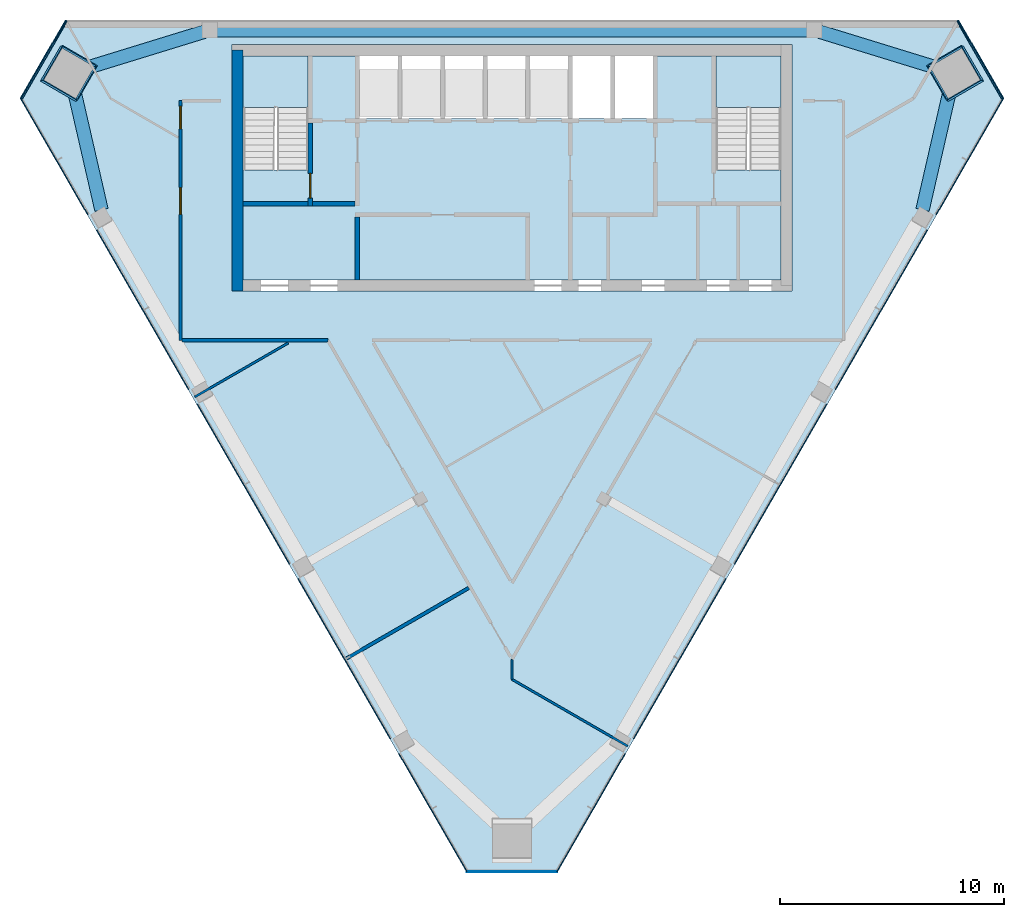
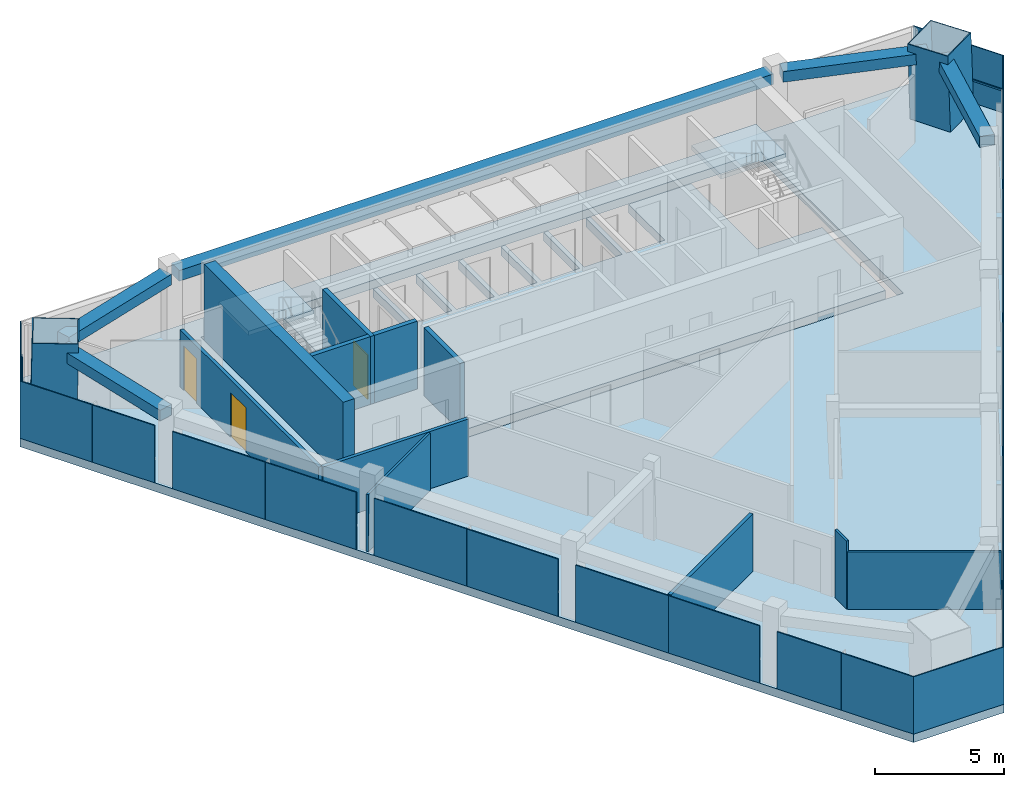
# One storey, part 5 of 9: 23 plates, 11 walls, 5 beams, 4 members, 4 slabs, 3 doors, 3 openings, 7 elements without a shape of their own.
"""IFC4 building model written with IfcOpenShell, lengths in metres."""

from ifc_helpers import new_model, si_unit, direction, frame, frame_2d, origin, origin_2d, place, context, subcontext, project, spatial, polyline, rectangle, hollow_rectangle, outline, extrude, material, layer, layer_set, material_profile, profile_set, type_object, element, fill, aggregate, save


model = new_model("IFC4")

# Units and contexts
model_context = context("Model", 3, precision=1e-05, world=origin(), true_north=direction((0.0, 1.0)))
body_context = subcontext(model_context, "Body", "Model", "MODEL_VIEW")
ifc_project = project(units=[si_unit("LENGTHUNIT", "METRE"), si_unit("AREAUNIT", "SQUARE_METRE"), si_unit("VOLUMEUNIT", "CUBIC_METRE"), si_unit("PLANEANGLEUNIT", "RADIAN"), si_unit("MASSUNIT", "GRAM", prefix="KILO")], contexts=[model_context])

# Site, building, storey
site_placement = place(None, origin())
site = spatial("IfcSite", under=ifc_project, at=site_placement, CompositionType="ELEMENT")
building_placement = place(site_placement, origin())
building = spatial("IfcBuilding", under=site, at=building_placement, Name="Altiplano Prism Tower", CompositionType="ELEMENT")
storey_placement = place(building_placement, frame((0.0, 0.0, 305.800048828125)))
storey = spatial("IfcBuildingStorey", under=building, at=storey_placement, Name="L79", CompositionType="ELEMENT", Elevation=305.800048828125)

# Curtain wall, member
ifc_material_1 = material(Name="Aluminium and glass", Category="aluminium")
ifc_layer_1 = layer(ifc_material_1, 0.303955078125)
ifc_layer_set_1 = layer_set([ifc_layer_1], Name="Aluminium and glass")
curtain_wall_type = type_object("IfcCurtainWallType", Name="CW2 lounge-band unitised glazing", PredefinedType="NOTDEFINED", material=ifc_layer_set_1)
curtain_wall_1_placement = place(storey_placement, origin())
curtain_wall_1 = element("IfcCurtainWall", 1, at=curtain_wall_1_placement, inside=storey, type_object=curtain_wall_type, Name="CW2 curtain wall north-west chamfer L79", PredefinedType="NOTDEFINED")
ifc_material_2 = material(Name="Aluminium", Category="aluminium")
ifc_material_profile_1 = material_profile(ifc_material_2, rectangle(XDim=0.06005859375, YDim=0.080078125, at=origin_2d()), Name="CW2 transom 80 x 60")
ifc_profile_set_1 = profile_set([ifc_material_profile_1], Name="Aluminium")
member_type_1 = type_object("IfcMemberType", Name="CW2 transom 80 x 60", PredefinedType="USERDEFINED", material=ifc_profile_set_1)
member_1_placement = place(storey_placement, frame((65.11962890625, 104.962890625, 1.099853515625), z_axis=(-0.500013722509, -0.866017480945, 0.0), x_axis=(0.866017480945, -0.500013722509, 0.0)))
member_1 = element("IfcMember", 2, at=member_1_placement, type_object=member_type_1, Name="CW2 transom", ObjectType="TRANSOM", PredefinedType="USERDEFINED", context=body_context, shape_type="SweptSolid", body=[
    extrude(rectangle(XDim=0.06005859375, YDim=0.080078125, at=origin_2d()), origin(), (0.0, 0.0, 1.0), 4.0390625),
])

curtain_wall_2_placement = place(storey_placement, origin())
curtain_wall_2 = element("IfcCurtainWall", 3, at=curtain_wall_2_placement, inside=storey, type_object=curtain_wall_type, Name="CW2 curtain wall north-east chamfer L79", PredefinedType="NOTDEFINED")
member_2_placement = place(storey_placement, frame((106.89990234375, 101.465087890625, 1.099853515625), z_axis=(-0.500013722509, 0.866017480945, 0.0), x_axis=(-0.866017480945, -0.500013722509, 0.0)))
member_2 = element("IfcMember", 4, at=member_2_placement, type_object=member_type_1, Name="CW2 transom", ObjectType="TRANSOM", PredefinedType="USERDEFINED", context=body_context, shape_type="SweptSolid", body=[
    extrude(rectangle(XDim=0.06005859375, YDim=0.080078125, at=origin_2d()), origin(), (0.0, 0.0, 1.0), 4.0390625),
])

# Beams
ifc_material_3 = material(Name="Concrete C60/75", Category="concrete")
ifc_material_profile_2 = material_profile(ifc_material_3, rectangle(XDim=0.60009765625, YDim=0.5, at=origin_2d()), Name="Edge beam 600x500")
ifc_profile_set_2 = profile_set([ifc_material_profile_2], Name="Concrete C60/75")
beam_type = type_object("IfcBeamType", Name="Edge beam 600x500", PredefinedType="SPANDREL", material=ifc_profile_set_2)
for number, where, z_axis, x_axis, name in (
    (5, (103.3271484375, 96.5244140625, 2.949951171875), (0.223195084926, 0.974773796357, 0.0), (-0.974773796357, 0.223195084926, 0.0), "Edge beam P24-M2 L80"),
    (6, (104.296142578125, 102.7666015625, 2.949951171875), (-0.955782637849, 0.294074053916, 0.0), (-0.294074053916, -0.955782637849, 0.0), "Edge beam M2-P01 L80"),
):
    element("IfcBeam", number, at=place(storey_placement, frame(where, z_axis=z_axis, x_axis=x_axis)), inside=storey, type_object=beam_type, Name=name, PredefinedType="SPANDREL", context=body_context, shape_type="SweptSolid", body=[
        extrude(rectangle(XDim=0.60009765625, YDim=0.5, at=origin_2d()), origin(), (0.0, 0.0, 1.0), 5.818115234375),
    ])
beam_placement = place(storey_placement, frame((98.27001953125, 104.550048828125, 2.949951171875), z_axis=(-1.0, 0.0, 0.0), x_axis=(0.0, -1.0, 0.0)))
element("IfcBeam", 7, at=beam_placement, inside=storey, type_object=beam_type, Name="Edge beam P01-P04 L80", PredefinedType="SPANDREL", context=body_context, shape_type="SweptSolid", body=[
    extrude(rectangle(XDim=0.60009765625, YDim=0.5, at=origin_2d()), origin(), (0.0, 0.0, 1.0), 26.5400390625),
])
for number, where, z_axis, x_axis, name in (
    (8, (71.2646484375, 104.4775390625, 2.949951171875), (-0.955782637849, -0.294074053916, 0.0), (0.294074053916, -0.955782637849, 0.0), "Edge beam P04-M0 L80"),
    (9, (65.374267578125, 102.19580078125, 2.949951171875), (0.223195084926, -0.974773796357, 0.0), (0.974773796357, 0.223195084926, 0.0), "Edge beam M0-P11 L80"),
):
    element("IfcBeam", number, at=place(storey_placement, frame(where, z_axis=z_axis, x_axis=x_axis)), inside=storey, type_object=beam_type, Name=name, PredefinedType="SPANDREL", context=body_context, shape_type="SweptSolid", body=[
        extrude(rectangle(XDim=0.60009765625, YDim=0.5, at=origin_2d()), origin(), (0.0, 0.0, 1.0), 5.818115234375),
    ])

# Members
ifc_material_4 = material(Name="Steel S460", Category="steel")
ifc_material_profile_3 = material_profile(ifc_material_4, hollow_rectangle(XDim=1.800048828125, YDim=1.800048828125, WallThickness=0.0400390625, at=origin_2d()), Name="Mega column tube 1800")
ifc_profile_set_3 = profile_set([ifc_material_profile_3], Name="Steel S460")
member_type_2 = type_object("IfcMemberType", Name="Mega column tube 1800", PredefinedType="POST", material=ifc_profile_set_3)
for number, where, z_axis, x_axis, name in (
    (10, (65.171630859375, 102.60107421875, 0.0), (0.028403739082, 0.009219352065, 0.999554016126), (-0.865122977787, 0.501162431083, 0.01996123683), "Mega column tube M0 L79"),
    (11, (104.828369140625, 102.60107421875, 0.0), (-0.028403739082, 0.009219352065, 0.999554016126), (0.500754891051, -0.865304120652, 0.022210760241), "Mega column tube M2 L79"),
):
    element("IfcMember", number, at=place(storey_placement, frame(where, z_axis=z_axis, x_axis=x_axis)), inside=storey, type_object=member_type_2, Name=name, PredefinedType="POST", context=body_context, shape_type="SweptSolid", body=[
        extrude(hollow_rectangle(XDim=1.800048828125, YDim=1.800048828125, WallThickness=0.0400390625, at=origin_2d()), origin(), (0.0, 0.0, 1.0), 3.6015625),
    ])

# Plate
ifc_material_5 = material(Name="Clear glass", Category="glass")
ifc_layer_2 = layer(ifc_material_5, 0.0439453125)
ifc_layer_set_2 = layer_set([ifc_layer_2], Name="Clear glass")
plate_type = type_object("IfcPlateType", Name="CW2 insulated glass unit 44", PredefinedType="CURTAIN_PANEL", material=ifc_layer_set_2)
plate_1_placement = place(storey_placement, frame((64.064697265625, 103.239990234375, 0.0), z_axis=(0.0, 0.0, 1.0), x_axis=(-0.499999972597, -0.866025419606, 0.0)))
plate_1 = element("IfcPlate", 12, at=plate_1_placement, type_object=plate_type, Name="CW2 panel", PredefinedType="CURTAIN_PANEL", context=body_context, shape_type="SweptSolid", body=[
    extrude(rectangle(XDim=4.029052734375, YDim=0.0439453125, at=origin_2d()), origin(), (0.0, 0.0, 1.0), 2.699951171875),
])

aggregate(curtain_wall_1, [member_1, plate_1])

# Curtain wall, plates
curtain_wall_3_placement = place(storey_placement, origin())
curtain_wall_3 = element("IfcCurtainWall", 13, at=curtain_wall_3_placement, inside=storey, type_object=curtain_wall_type, Name="CW2 curtain wall south-west face L79", PredefinedType="NOTDEFINED")
plate_2_placement = place(storey_placement, frame((63.860595703125, 100.11767578125, 0.0), z_axis=(0.0, 0.0, 1.0), x_axis=(0.500000007709, -0.866025399334, 0.0)))
plate_2 = element("IfcPlate", 14, at=plate_2_placement, type_object=plate_type, Name="CW2 panel", PredefinedType="CURTAIN_PANEL", context=body_context, shape_type="SweptSolid", body=[
    extrude(rectangle(XDim=3.212158203125, YDim=0.0439453125, at=origin_2d()), origin(), (0.0, 0.0, 1.0), 2.699951171875),
])
plate_3_placement = place(storey_placement, frame((65.3642578125, 97.51318359375, 0.0), z_axis=(0.0, 0.0, 1.0), x_axis=(0.500000007709, -0.866025399334, 0.0)))
plate_3 = element("IfcPlate", 15, at=plate_3_placement, type_object=plate_type, Name="CW2 panel", PredefinedType="CURTAIN_PANEL", context=body_context, shape_type="SweptSolid", body=[
    extrude(rectangle(XDim=2.78271484375, YDim=0.0439453125, at=origin_2d()), origin(), (0.0, 0.0, 1.0), 2.699951171875),
])
plate_4_placement = place(storey_placement, frame((67.489990234375, 93.83154296875, 0.0), z_axis=(0.0, 0.0, 1.0), x_axis=(0.500000007709, -0.866025399334, 0.0)))
plate_4 = element("IfcPlate", 16, at=plate_4_placement, type_object=plate_type, Name="CW2 panel", PredefinedType="CURTAIN_PANEL", context=body_context, shape_type="SweptSolid", body=[
    extrude(rectangle(XDim=4.139404296875, YDim=0.0439453125, at=origin_2d()), origin(), (0.0, 0.0, 1.0), 2.699951171875),
])
plate_5_placement = place(storey_placement, frame((69.544921875, 90.272216796875, 0.0), z_axis=(0.0, 0.0, 1.0), x_axis=(0.500000007709, -0.866025399334, 0.0)))
plate_5 = element("IfcPlate", 17, at=plate_5_placement, type_object=plate_type, Name="CW2 panel", PredefinedType="CURTAIN_PANEL", context=body_context, shape_type="SweptSolid", body=[
    extrude(rectangle(XDim=4.060302734375, YDim=0.0439453125, at=origin_2d()), origin(), (0.0, 0.0, 1.0), 2.699951171875),
])
plate_6_placement = place(storey_placement, frame((71.989990234375, 86.037353515625, 0.0), z_axis=(0.0, 0.0, 1.0), x_axis=(0.500000007709, -0.866025399334, 0.0)))
plate_6 = element("IfcPlate", 18, at=plate_6_placement, type_object=plate_type, Name="CW2 panel", PredefinedType="CURTAIN_PANEL", context=body_context, shape_type="SweptSolid", body=[
    extrude(rectangle(XDim=4.139404296875, YDim=0.0439453125, at=origin_2d()), origin(), (0.0, 0.0, 1.0), 2.699951171875),
])
plate_7_placement = place(storey_placement, frame((74.044921875, 82.47802734375, 0.0), z_axis=(0.0, 0.0, 1.0), x_axis=(0.500000007709, -0.866025399334, 0.0)))
plate_7 = element("IfcPlate", 19, at=plate_7_placement, type_object=plate_type, Name="CW2 panel", PredefinedType="CURTAIN_PANEL", context=body_context, shape_type="SweptSolid", body=[
    extrude(rectangle(XDim=4.060302734375, YDim=0.0439453125, at=origin_2d()), origin(), (0.0, 0.0, 1.0), 2.699951171875),
])
plate_8_placement = place(storey_placement, frame((76.489990234375, 78.2431640625, 0.0), z_axis=(0.0, 0.0, 1.0), x_axis=(0.500000007709, -0.866025399334, 0.0)))
plate_8 = element("IfcPlate", 20, at=plate_8_placement, type_object=plate_type, Name="CW2 panel", PredefinedType="CURTAIN_PANEL", context=body_context, shape_type="SweptSolid", body=[
    extrude(rectangle(XDim=4.139404296875, YDim=0.0439453125, at=origin_2d()), origin(), (0.0, 0.0, 1.0), 2.699951171875),
])
plate_9_placement = place(storey_placement, frame((78.544921875, 74.683837890625, 0.0), z_axis=(0.0, 0.0, 1.0), x_axis=(0.500000007709, -0.866025399334, 0.0)))
plate_9 = element("IfcPlate", 21, at=plate_9_placement, type_object=plate_type, Name="CW2 panel", PredefinedType="CURTAIN_PANEL", context=body_context, shape_type="SweptSolid", body=[
    extrude(rectangle(XDim=4.060302734375, YDim=0.0439453125, at=origin_2d()), origin(), (0.0, 0.0, 1.0), 2.699951171875),
])
plate_10_placement = place(storey_placement, frame((80.67041015625, 71.002197265625, 0.0), z_axis=(0.0, 0.0, 1.0), x_axis=(0.500000007709, -0.866025399334, 0.0)))
plate_10 = element("IfcPlate", 22, at=plate_10_placement, type_object=plate_type, Name="CW2 panel", PredefinedType="CURTAIN_PANEL", context=body_context, shape_type="SweptSolid", body=[
    extrude(rectangle(XDim=2.86181640625, YDim=0.0439453125, at=origin_2d()), origin(), (0.0, 0.0, 1.0), 2.699951171875),
])
plate_11_placement = place(storey_placement, frame((82.19384765625, 68.363525390625, 0.0), z_axis=(0.0, 0.0, 1.0), x_axis=(0.500000007709, -0.866025399334, 0.0)))
plate_11 = element("IfcPlate", 23, at=plate_11_placement, type_object=plate_type, Name="CW2 panel", PredefinedType="CURTAIN_PANEL", context=body_context, shape_type="SweptSolid", body=[
    extrude(rectangle(XDim=3.212158203125, YDim=0.0439453125, at=origin_2d()), origin(), (0.0, 0.0, 1.0), 2.699951171875),
])
aggregate(curtain_wall_3, [plate_2, plate_3, plate_4, plate_5, plate_6, plate_7, plate_8, plate_9, plate_10, plate_11])

# Curtain wall, plate
curtain_wall_4_placement = place(storey_placement, origin())
curtain_wall_4 = element("IfcCurtainWall", 24, at=curtain_wall_4_placement, inside=storey, type_object=curtain_wall_type, Name="CW2 curtain wall south chamfer L79", PredefinedType="NOTDEFINED")
plate_12_placement = place(storey_placement, frame((85.0, 66.979248046875, 0.0), z_axis=(0.0, 0.0, 1.0), x_axis=(1.0, 0.0, 0.0)))
plate_12 = element("IfcPlate", 25, at=plate_12_placement, type_object=plate_type, Name="CW2 panel", PredefinedType="CURTAIN_PANEL", context=body_context, shape_type="SweptSolid", body=[
    extrude(rectangle(XDim=4.029052734375, YDim=0.0439453125, at=origin_2d()), origin(), (0.0, 0.0, 1.0), 2.699951171875),
])
aggregate(curtain_wall_4, [plate_12])

# Curtain wall, plates
curtain_wall_5_placement = place(storey_placement, origin())
curtain_wall_5 = element("IfcCurtainWall", 26, at=curtain_wall_5_placement, inside=storey, type_object=curtain_wall_type, Name="CW2 curtain wall south-east face L79", PredefinedType="NOTDEFINED")
plate_13_placement = place(storey_placement, frame((87.80615234375, 68.363525390625, 0.0), z_axis=(0.0, 0.0, 1.0), x_axis=(0.500000007709, 0.866025399334, 0.0)))
plate_13 = element("IfcPlate", 27, at=plate_13_placement, type_object=plate_type, Name="CW2 panel", PredefinedType="CURTAIN_PANEL", context=body_context, shape_type="SweptSolid", body=[
    extrude(rectangle(XDim=3.212158203125, YDim=0.0439453125, at=origin_2d()), origin(), (0.0, 0.0, 1.0), 2.699951171875),
])
plate_14_placement = place(storey_placement, frame((89.32958984375, 71.002197265625, 0.0), z_axis=(0.0, 0.0, 1.0), x_axis=(0.500000007709, 0.866025399334, 0.0)))
plate_14 = element("IfcPlate", 28, at=plate_14_placement, type_object=plate_type, Name="CW2 panel", PredefinedType="CURTAIN_PANEL", context=body_context, shape_type="SweptSolid", body=[
    extrude(rectangle(XDim=2.86181640625, YDim=0.0439453125, at=origin_2d()), origin(), (0.0, 0.0, 1.0), 2.699951171875),
])
plate_15_placement = place(storey_placement, frame((91.455078125, 74.683837890625, 0.0), z_axis=(0.0, 0.0, 1.0), x_axis=(0.500000007709, 0.866025399334, 0.0)))
plate_15 = element("IfcPlate", 29, at=plate_15_placement, type_object=plate_type, Name="CW2 panel", PredefinedType="CURTAIN_PANEL", context=body_context, shape_type="SweptSolid", body=[
    extrude(rectangle(XDim=4.060302734375, YDim=0.0439453125, at=origin_2d()), origin(), (0.0, 0.0, 1.0), 2.699951171875),
])
plate_16_placement = place(storey_placement, frame((93.510009765625, 78.2431640625, 0.0), z_axis=(0.0, 0.0, 1.0), x_axis=(0.500000007709, 0.866025399334, 0.0)))
plate_16 = element("IfcPlate", 30, at=plate_16_placement, type_object=plate_type, Name="CW2 panel", PredefinedType="CURTAIN_PANEL", context=body_context, shape_type="SweptSolid", body=[
    extrude(rectangle(XDim=4.139404296875, YDim=0.0439453125, at=origin_2d()), origin(), (0.0, 0.0, 1.0), 2.699951171875),
])
plate_17_placement = place(storey_placement, frame((95.955078125, 82.47802734375, 0.0), z_axis=(0.0, 0.0, 1.0), x_axis=(0.500000007709, 0.866025399334, 0.0)))
plate_17 = element("IfcPlate", 31, at=plate_17_placement, type_object=plate_type, Name="CW2 panel", PredefinedType="CURTAIN_PANEL", context=body_context, shape_type="SweptSolid", body=[
    extrude(rectangle(XDim=4.060302734375, YDim=0.0439453125, at=origin_2d()), origin(), (0.0, 0.0, 1.0), 2.699951171875),
])
plate_18_placement = place(storey_placement, frame((98.010009765625, 86.037353515625, 0.0), z_axis=(0.0, 0.0, 1.0), x_axis=(0.500000007709, 0.866025399334, 0.0)))
plate_18 = element("IfcPlate", 32, at=plate_18_placement, type_object=plate_type, Name="CW2 panel", PredefinedType="CURTAIN_PANEL", context=body_context, shape_type="SweptSolid", body=[
    extrude(rectangle(XDim=4.139404296875, YDim=0.0439453125, at=origin_2d()), origin(), (0.0, 0.0, 1.0), 2.699951171875),
])
plate_19_placement = place(storey_placement, frame((100.455078125, 90.272216796875, 0.0), z_axis=(0.0, 0.0, 1.0), x_axis=(0.500000007709, 0.866025399334, 0.0)))
plate_19 = element("IfcPlate", 33, at=plate_19_placement, type_object=plate_type, Name="CW2 panel", PredefinedType="CURTAIN_PANEL", context=body_context, shape_type="SweptSolid", body=[
    extrude(rectangle(XDim=4.060302734375, YDim=0.0439453125, at=origin_2d()), origin(), (0.0, 0.0, 1.0), 2.699951171875),
])
plate_20_placement = place(storey_placement, frame((102.510009765625, 93.83154296875, 0.0), z_axis=(0.0, 0.0, 1.0), x_axis=(0.500000007709, 0.866025399334, 0.0)))
plate_20 = element("IfcPlate", 34, at=plate_20_placement, type_object=plate_type, Name="CW2 panel", PredefinedType="CURTAIN_PANEL", context=body_context, shape_type="SweptSolid", body=[
    extrude(rectangle(XDim=4.139404296875, YDim=0.0439453125, at=origin_2d()), origin(), (0.0, 0.0, 1.0), 2.699951171875),
])
plate_21_placement = place(storey_placement, frame((104.6357421875, 97.51318359375, 0.0), z_axis=(0.0, 0.0, 1.0), x_axis=(0.500000007709, 0.866025399334, 0.0)))
plate_21 = element("IfcPlate", 35, at=plate_21_placement, type_object=plate_type, Name="CW2 panel", PredefinedType="CURTAIN_PANEL", context=body_context, shape_type="SweptSolid", body=[
    extrude(rectangle(XDim=2.78271484375, YDim=0.0439453125, at=origin_2d()), origin(), (0.0, 0.0, 1.0), 2.699951171875),
])
plate_22_placement = place(storey_placement, frame((106.139404296875, 100.11767578125, 0.0), z_axis=(0.0, 0.0, 1.0), x_axis=(0.500000007709, 0.866025399334, 0.0)))
plate_22 = element("IfcPlate", 36, at=plate_22_placement, type_object=plate_type, Name="CW2 panel", PredefinedType="CURTAIN_PANEL", context=body_context, shape_type="SweptSolid", body=[
    extrude(rectangle(XDim=3.212158203125, YDim=0.0439453125, at=origin_2d()), origin(), (0.0, 0.0, 1.0), 2.699951171875),
])
aggregate(curtain_wall_5, [plate_13, plate_14, plate_15, plate_16, plate_17, plate_18, plate_19, plate_20, plate_21, plate_22])

# Plate
plate_23_placement = place(storey_placement, frame((105.935302734375, 103.239990234375, 0.0), z_axis=(0.0, 0.0, 1.0), x_axis=(-0.499999972597, 0.866025419606, 0.0)))
plate_23 = element("IfcPlate", 37, at=plate_23_placement, type_object=plate_type, Name="CW2 panel", PredefinedType="CURTAIN_PANEL", context=body_context, shape_type="SweptSolid", body=[
    extrude(rectangle(XDim=4.029052734375, YDim=0.0439453125, at=origin_2d()), origin(), (0.0, 0.0, 1.0), 2.699951171875),
])

aggregate(curtain_wall_2, [member_2, plate_23])

# Slabs
ifc_material_6 = material(Name="Concrete C40/50", Category="concrete")
ifc_layer_3 = layer(ifc_material_6, 0.39990234375)
ifc_layer_set_3 = layer_set([ifc_layer_3], Name="Concrete C40/50")
slab_type_1 = type_object("IfcSlabType", Name="Core floor slab 400", PredefinedType="FLOOR", material=ifc_layer_set_3)
slab_1_placement = place(storey_placement, frame((0.0, 0.0, -0.400146484375)))
element("IfcSlab", 38, at=slab_1_placement, inside=storey, type_object=slab_type_1, Name="Core floor slab L79", PredefinedType="FLOOR", context=body_context, shape_type="SweptSolid", body=[
    extrude(outline(polyline([(97.0, 98.31005859375), (94.10009765625, 98.31005859375), (94.10009765625, 103.39990234375), (91.300048828125, 103.39990234375), (91.300048828125, 100.60009765625), (89.60009765625, 100.60009765625), (89.60009765625, 103.39990234375), (89.39990234375, 103.39990234375), (89.39990234375, 100.60009765625), (87.699951171875, 100.60009765625), (87.699951171875, 103.39990234375), (87.5, 103.39990234375), (87.5, 100.60009765625), (85.800048828125, 100.60009765625), (85.800048828125, 103.39990234375), (85.60009765625, 103.39990234375), (85.60009765625, 100.60009765625), (83.89990234375, 100.60009765625), (83.89990234375, 103.39990234375), (83.699951171875, 103.39990234375), (83.699951171875, 100.60009765625), (82.0, 100.60009765625), (82.0, 103.39990234375), (81.800048828125, 103.39990234375), (81.800048828125, 100.60009765625), (80.10009765625, 100.60009765625), (80.10009765625, 103.39990234375), (79.89990234375, 103.39990234375), (79.89990234375, 100.60009765625), (78.199951171875, 100.60009765625), (78.199951171875, 103.39990234375), (75.89990234375, 103.39990234375), (75.89990234375, 98.31005859375), (73.0, 98.31005859375), (73.0, 93.39990234375), (97.0, 93.39990234375), (97.0, 98.31005859375)])), origin(), (0.0, 0.0, 1.0), 0.400146484375),
])
ifc_layer_4 = layer(ifc_material_6, 0.39990234375)
ifc_layer_set_4 = layer_set([ifc_layer_4], Name="Concrete C40/50")
slab_type_2 = type_object("IfcSlabType", Name="Post-tensioned flat slab 400", PredefinedType="FLOOR", material=ifc_layer_set_4)
slab_2_placement = place(storey_placement, frame((0.0, 0.0, -0.400146484375)))
element("IfcSlab", 39, at=slab_2_placement, inside=storey, type_object=slab_type_2, Name="Floor slab L79", PredefinedType="FLOOR", context=body_context, shape_type="SweptSolid", body=[
    extrude(outline(polyline([(106.964111328125, 101.501953125), (87.01953125, 66.957275390625), (82.98046875, 66.957275390625), (63.035888671875, 101.501953125), (65.055419921875, 105.0), (104.944580078125, 105.0), (106.964111328125, 101.501953125)]), holes=[polyline([(97.5, 92.89990234375), (97.5, 103.89990234375), (72.5, 103.89990234375), (72.5, 92.89990234375), (97.5, 92.89990234375)])]), origin(), (0.0, 0.0, 1.0), 0.400146484375),
])

# Stair, slab
stair_type = type_object("IfcStairType", Name="Exit stair 1400", PredefinedType="HALF_TURN_STAIR", material=ifc_material_6)
stair_1_placement = place(storey_placement, origin())
stair_1 = element("IfcStair", 40, at=stair_1_placement, inside=storey, type_object=stair_type, Name="L79 Exit Stair 1", PredefinedType="HALF_TURN_STAIR")
ifc_layer_5 = layer(ifc_material_6, 0.199951171875)
ifc_layer_set_5 = layer_set([ifc_layer_5], Name="Concrete C40/50")
slab_type_3 = type_object("IfcSlabType", Name="Stair landing 200", PredefinedType="LANDING", material=ifc_layer_set_5)
slab_3_placement = place(storey_placement, frame((0.0, 0.0, 1.599853515625)))
slab_3 = element("IfcSlab", 41, at=slab_3_placement, type_object=slab_type_3, Name="ST1 landing 1", PredefinedType="LANDING", context=body_context, shape_type="SweptSolid", body=[
    extrude(outline(polyline([(75.89990234375, 101.096923828125), (75.89990234375, 103.39990234375), (73.0, 103.39990234375), (73.0, 101.096923828125), (75.89990234375, 101.096923828125)])), origin(), (0.0, 0.0, 1.0), 0.2001953125),
])
aggregate(stair_1, [slab_3])

stair_2_placement = place(storey_placement, origin())
stair_2 = element("IfcStair", 42, at=stair_2_placement, inside=storey, type_object=stair_type, Name="L79 Exit Stair 2", PredefinedType="HALF_TURN_STAIR")
slab_4_placement = place(storey_placement, frame((0.0, 0.0, 1.599853515625)))
slab_4 = element("IfcSlab", 43, at=slab_4_placement, type_object=slab_type_3, Name="ST2 landing 1", PredefinedType="LANDING", context=body_context, shape_type="SweptSolid", body=[
    extrude(outline(polyline([(97.0, 101.096923828125), (97.0, 103.39990234375), (94.10009765625, 103.39990234375), (94.10009765625, 101.096923828125), (97.0, 101.096923828125)])), origin(), (0.0, 0.0, 1.0), 0.2001953125),
])
aggregate(stair_2, [slab_4])

# Walls
ifc_layer_6 = layer(ifc_material_3, 0.5)
ifc_layer_set_6 = layer_set([ifc_layer_6], Name="Concrete C60/75")
wall_type_1 = type_object("IfcWallType", Name="Core wall 500", PredefinedType="SHEAR", material=ifc_layer_set_6)
wall_1_placement = place(storey_placement, frame((72.75, 103.64990234375, 0.0), z_axis=(0.0, 0.0, 1.0), x_axis=(0.0, -1.0, 0.0)))
element("IfcWall", 44, at=wall_1_placement, inside=storey, type_object=wall_type_1, Name="Core wall W L79", PredefinedType="SHEAR", context=body_context, shape_type="SweptSolid", body=[
    extrude(rectangle(XDim=10.75, YDim=0.5, at=frame_2d((5.375, 0.0))), origin(), (0.0, 0.0, 1.0), 3.599853515625),
])
ifc_material_7 = material(Name="Plasterboard on steel stud", Category="steel")
ifc_layer_7 = layer(ifc_material_7, 0.10009765625)
ifc_layer_set_7 = layer_set([ifc_layer_7], Name="Plasterboard on steel stud")
wall_type_2 = type_object("IfcWallType", Name="Partition 100 wet", PredefinedType="PARTITIONING", material=ifc_layer_set_7)
wall_2_placement = place(storey_placement, frame((70.8447265625, 88.1767578125, 0.0), z_axis=(0.0, 0.0, 1.0), x_axis=(0.866019915538, 0.500009505801, 0.0)))
element("IfcWall", 45, at=wall_2_placement, inside=storey, type_object=wall_type_2, Name="Partition P03 L79 014", PredefinedType="PARTITIONING", context=body_context, shape_type="SweptSolid", body=[
    extrude(rectangle(XDim=4.81005859375, YDim=0.10009765625, at=frame_2d((2.405029296875, 0.0))), origin(), (0.0, 0.0, 1.0), 2.699951171875),
])
wall_3_placement = place(storey_placement, frame((90.1552734375, 72.58837890625, 0.0), z_axis=(0.0, 0.0, 1.0), x_axis=(-0.866031233779, 0.499989902017, 0.0)))
element("IfcWall", 46, at=wall_3_placement, inside=storey, type_object=wall_type_2, Name="Partition P03 L79 018", PredefinedType="PARTITIONING", context=body_context, shape_type="SweptSolid", body=[
    extrude(rectangle(XDim=5.95263671875, YDim=0.10009765625, at=frame_2d((2.976318359375, 0.0))), origin(), (0.0, 0.0, 1.0), 2.699951171875),
])
wall_4_placement = place(storey_placement, frame((85.0, 75.564697265625, 0.0), z_axis=(0.0, 0.0, 1.0), x_axis=(0.0, 1.0, 0.0)))
element("IfcWall", 47, at=wall_4_placement, inside=storey, type_object=wall_type_2, Name="Partition P03 L79 019", PredefinedType="PARTITIONING", context=body_context, shape_type="SweptSolid", body=[
    extrude(rectangle(XDim=0.89453125, YDim=0.10009765625, at=frame_2d((0.447265625, 0.0))), origin(), (0.0, 0.0, 1.0), 3.199951171875),
])

# Wall, openings, doors
ifc_layer_8 = layer(ifc_material_7, 0.14990234375)
ifc_layer_set_8 = layer_set([ifc_layer_8], Name="Plasterboard on steel stud")
wall_type_3 = type_object("IfcWallType", Name="Partition 150 corridor", PredefinedType="PARTITIONING", material=ifc_layer_set_8)
wall_5_placement = place(storey_placement, frame((70.199951171875, 101.39990234375, 0.0), z_axis=(0.0, 0.0, 1.0), x_axis=(0.0, -1.0, 0.0)))
wall_5 = element("IfcWall", 48, at=wall_5_placement, inside=storey, type_object=wall_type_3, Name="Partition P06 L79 003", PredefinedType="PARTITIONING", context=body_context, shape_type="SweptSolid", body=[
    extrude(rectangle(XDim=10.699951171875, YDim=0.14990234375, at=frame_2d((5.35009765625, 0.0))), origin(), (0.0, 0.0, 1.0), 2.699951171875),
])
opening_1_placement = place(wall_5_placement, frame((3.8779296875, 0.0, 0.0)))
opening_1 = element("IfcOpeningElement", 49, at=opening_1_placement, cuts=wall_5, Name="Opening D2372", PredefinedType="OPENING", context=body_context, shape_type="SweptSolid", body=[
    extrude(rectangle(XDim=1.199951171875, YDim=2.10009765625, at=frame_2d((0.60009765625, 1.050048828125))), frame((0.0, 0.08544921875, 0.0), z_axis=(0.0, -1.0, 0.0), x_axis=(1.0, 0.0, 0.0)), (0.0, 0.0, 1.0), 0.1708984375),
])
opening_2_placement = place(wall_5_placement, frame((0.2548828125, 0.0, 0.0)))
opening_2 = element("IfcOpeningElement", 50, at=opening_2_placement, cuts=wall_5, Name="Opening D2379", PredefinedType="OPENING", context=body_context, shape_type="SweptSolid", body=[
    extrude(rectangle(XDim=1.0, YDim=2.10009765625, at=frame_2d((0.5, 1.050048828125))), frame((0.0, 0.08544921875, 0.0), z_axis=(0.0, -1.0, 0.0), x_axis=(1.0, 0.0, 0.0)), (0.0, 0.0, 1.0), 0.1708984375),
])
ifc_material_8 = material(Name="Timber", Category="wood")
door_type_1 = type_object("IfcDoorType", Name="Room door 1000 x 2100", OperationType="NOTDEFINED", PredefinedType="NOTDEFINED", material=ifc_material_8)
door_1_placement = place(opening_2_placement, origin())
door_1 = element("IfcDoor", 51, at=door_1_placement, inside=storey, type_object=door_type_1, Name="Door D2379", OperationType="SINGLE_SWING_LEFT", OverallHeight=2.10009765625, OverallWidth=1.0, PredefinedType="NOTDEFINED", context=body_context, shape_type="SweptSolid", body=[
    extrude(rectangle(XDim=1.0, YDim=2.10009765625, at=frame_2d((0.5, 1.050048828125))), frame((0.0, 0.02490234375, 0.0), z_axis=(0.0, -1.0, 0.0), x_axis=(1.0, 0.0, 0.0)), (0.0, 0.0, 1.0), 0.050048828125),
])
fill(opening_2, door_1)
door_type_2 = type_object("IfcDoorType", Name="Shared room door 1200 x 2100", OperationType="NOTDEFINED", PredefinedType="NOTDEFINED", material=ifc_material_8)
door_2_placement = place(opening_1_placement, origin())
door_2 = element("IfcDoor", 52, at=door_2_placement, inside=storey, type_object=door_type_2, Name="Door D2372", OperationType="SINGLE_SWING_RIGHT", OverallHeight=2.10009765625, OverallWidth=1.199951171875, PredefinedType="NOTDEFINED", context=body_context, shape_type="SweptSolid", body=[
    extrude(rectangle(XDim=1.199951171875, YDim=2.10009765625, at=frame_2d((0.60009765625, 1.050048828125))), frame((0.0, 0.02490234375, 0.0), z_axis=(0.0, -1.0, 0.0), x_axis=(1.0, 0.0, 0.0)), (0.0, 0.0, 1.0), 0.050048828125),
])
fill(opening_1, door_2)

# Walls
wall_6_placement = place(storey_placement, frame((70.27490234375, 90.699951171875, 0.0), z_axis=(0.0, 0.0, 1.0), x_axis=(1.0, 0.0, 0.0)))
element("IfcWall", 53, at=wall_6_placement, inside=storey, type_object=wall_type_3, Name="Partition P06 L79 004", PredefinedType="PARTITIONING", context=body_context, shape_type="SweptSolid", body=[
    extrude(rectangle(XDim=6.503173828125, YDim=0.14990234375, at=frame_2d((3.25146484375, 0.0))), origin(), (0.0, 0.0, 1.0), 2.699951171875),
])
ifc_layer_9 = layer(ifc_material_7, 0.14990234375)
ifc_layer_set_9 = layer_set([ifc_layer_9], Name="Plasterboard on steel stud")
wall_type_4 = type_object("IfcWallType", Name="Partition 150 party", PredefinedType="PARTITIONING", material=ifc_layer_set_9)
wall_7_placement = place(storey_placement, frame((77.5947265625, 76.4853515625, 0.0), z_axis=(0.0, 0.0, 1.0), x_axis=(0.866025537322, 0.499999768706, 0.0)))
element("IfcWall", 54, at=wall_7_placement, inside=storey, type_object=wall_type_4, Name="Partition P01 L79 017", PredefinedType="PARTITIONING", context=body_context, shape_type="SweptSolid", body=[
    extrude(rectangle(XDim=6.3251953125, YDim=0.14990234375, at=frame_2d((3.16259765625, 0.0))), origin(), (0.0, 0.0, 1.0), 2.699951171875),
])
ifc_layer_10 = layer(ifc_material_3, 0.199951171875)
ifc_layer_set_10 = layer_set([ifc_layer_10], Name="Concrete C60/75")
wall_type_5 = type_object("IfcWallType", Name="Stair wall 200", PredefinedType="SOLIDWALL", material=ifc_layer_set_10)
wall_8_placement = place(storey_placement, frame((73.0, 96.800048828125, 0.0), z_axis=(0.0, 0.0, 1.0), x_axis=(1.0, 0.0, 0.0)))
element("IfcWall", 55, at=wall_8_placement, inside=storey, type_object=wall_type_5, Name="Stair wall L79", PredefinedType="SOLIDWALL", context=body_context, shape_type="SweptSolid", body=[
    extrude(rectangle(XDim=2.89990234375, YDim=0.199951171875, at=frame_2d((1.449951171875, 0.0))), origin(), (0.0, 0.0, 1.0), 3.199951171875),
])

# Wall, opening, door
wall_9_placement = place(storey_placement, frame((76.0, 96.699951171875, 0.0), z_axis=(0.0, 0.0, 1.0), x_axis=(0.0, 1.0, 0.0)))
wall_9 = element("IfcWall", 56, at=wall_9_placement, inside=storey, type_object=wall_type_5, Name="Stair wall L79", PredefinedType="SOLIDWALL", context=body_context, shape_type="SweptSolid", body=[
    extrude(rectangle(XDim=3.699951171875, YDim=0.199951171875, at=frame_2d((1.85009765625, 0.0))), origin(), (0.0, 0.0, 1.0), 3.199951171875),
])
opening_3_placement = place(wall_9_placement, frame((0.35009765625, 0.0, 0.0)))
opening_3 = element("IfcOpeningElement", 57, at=opening_3_placement, cuts=wall_9, Name="Opening D3693", PredefinedType="OPENING", context=body_context, shape_type="SweptSolid", body=[
    extrude(rectangle(XDim=1.10009765625, YDim=2.10009765625, at=frame_2d((0.550048828125, 1.050048828125))), frame((0.0, 0.1103515625, 0.0), z_axis=(0.0, -1.0, 0.0), x_axis=(1.0, 0.0, 0.0)), (0.0, 0.0, 1.0), 0.220947265625),
])
ifc_material_9 = material(Name="Fire-rated steel door", Category="steel")
door_type_3 = type_object("IfcDoorType", Name="Stair fire door 1100 x 2100", OperationType="NOTDEFINED", PredefinedType="NOTDEFINED", material=ifc_material_9)
door_3_placement = place(opening_3_placement, origin())
door_3 = element("IfcDoor", 58, at=door_3_placement, inside=storey, type_object=door_type_3, Name="Stair fire door D3693", OperationType="SINGLE_SWING_RIGHT", OverallHeight=2.10009765625, OverallWidth=1.10009765625, PredefinedType="NOTDEFINED", context=body_context, shape_type="SweptSolid", body=[
    extrude(rectangle(XDim=1.10009765625, YDim=2.10009765625, at=frame_2d((0.550048828125, 1.050048828125))), frame((0.0, 0.02490234375, 0.0), z_axis=(0.0, -1.0, 0.0), x_axis=(1.0, 0.0, 0.0)), (0.0, 0.0, 1.0), 0.050048828125),
])
fill(opening_3, door_3)

# Walls
ifc_layer_11 = layer(ifc_material_3, 0.199951171875)
ifc_layer_set_11 = layer_set([ifc_layer_11], Name="Concrete C60/75")
wall_type_6 = type_object("IfcWallType", Name="Vestibule wall 200", PredefinedType="PARTITIONING", material=ifc_layer_set_11)
wall_10_placement = place(storey_placement, frame((78.10009765625, 93.39990234375, 0.0), z_axis=(0.0, 0.0, 1.0), x_axis=(0.0, 1.0, 0.0)))
element("IfcWall", 59, at=wall_10_placement, inside=storey, type_object=wall_type_6, Name="Vestibule wall L79", PredefinedType="PARTITIONING", context=body_context, shape_type="SweptSolid", body=[
    extrude(rectangle(XDim=2.800048828125, YDim=0.199951171875, at=frame_2d((1.39990234375, 0.0))), origin(), (0.0, 0.0, 1.0), 3.199951171875),
])
wall_11_placement = place(storey_placement, frame((76.10009765625, 96.800048828125, 0.0), z_axis=(0.0, 0.0, 1.0), x_axis=(1.0, 0.0, 0.0)))
element("IfcWall", 60, at=wall_11_placement, inside=storey, type_object=wall_type_6, Name="Vestibule wall L79", PredefinedType="PARTITIONING", context=body_context, shape_type="SweptSolid", body=[
    extrude(rectangle(XDim=1.89990234375, YDim=0.199951171875, at=frame_2d((0.949951171875, 0.0))), origin(), (0.0, 0.0, 1.0), 3.199951171875),
])

save(model, "model.ifc")
